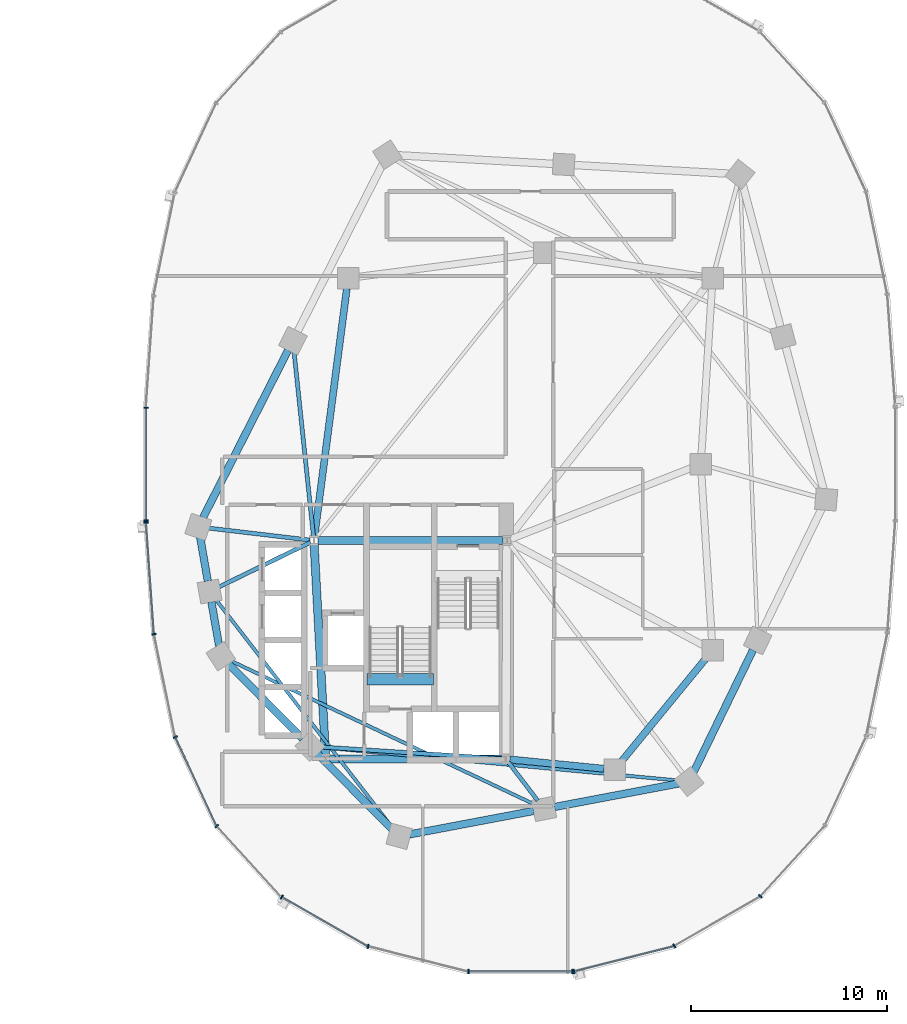
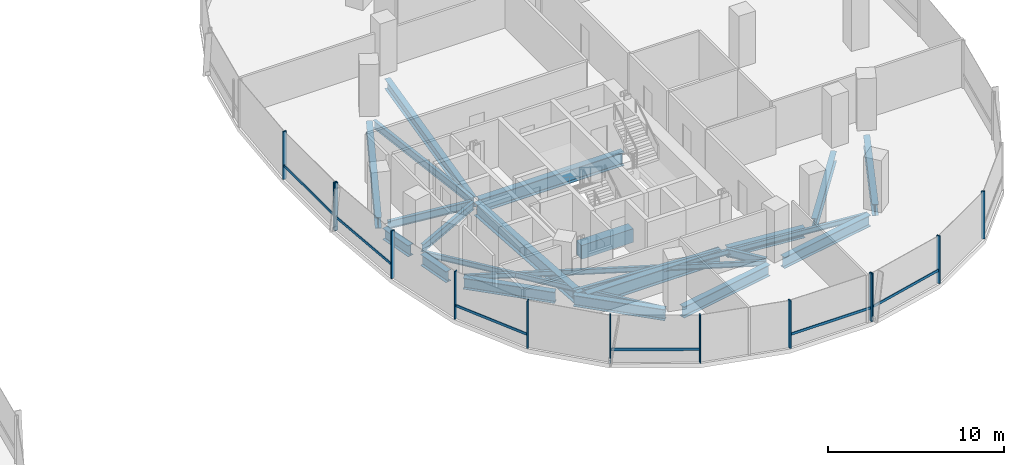
# One storey, part 5 of 21: 23 beams, 19 members, 3 elements without a shape of their own.
"""IFC4 building model written with IfcOpenShell, lengths in metres."""

from ifc_helpers import new_model, si_unit, direction, frame, origin, origin_2d, place, context, subcontext, project, spatial, rectangle, i_section, extrude, material, material_profile, profile_set, type_object, element, aggregate, save


model = new_model("IFC4")

# Units and contexts
model_context = context("Model", 3, precision=1e-05, world=origin(), true_north=direction((0.0, 1.0)))
body_context = subcontext(model_context, "Body", "Model", "MODEL_VIEW")
ifc_project = project(units=[si_unit("LENGTHUNIT", "METRE"), si_unit("AREAUNIT", "SQUARE_METRE"), si_unit("VOLUMEUNIT", "CUBIC_METRE"), si_unit("PLANEANGLEUNIT", "RADIAN"), si_unit("MASSUNIT", "GRAM", prefix="KILO"), si_unit("THERMODYNAMICTEMPERATUREUNIT", "KELVIN"), si_unit("POWERUNIT", "WATT")], contexts=[model_context])

# Site, building, storey
site_placement = place(None, origin())
site = spatial("IfcSite", under=ifc_project, at=site_placement, CompositionType="ELEMENT")
building_placement = place(site_placement, origin())
building = spatial("IfcBuilding", under=site, at=building_placement, Name="Cundina Bronze Exchange", CompositionType="ELEMENT")
storey_placement = place(building_placement, frame((0.0, 0.0, 107.0)))
storey = spatial("IfcBuildingStorey", under=building, at=storey_placement, Name="L27", CompositionType="ELEMENT", Elevation=107.0)

# Beams
ifc_material_1 = material(Name="Concrete C60/75", Category="concrete")
ifc_material_profile_1 = material_profile(ifc_material_1, rectangle(XDim=0.60009765625, YDim=0.949951171875, at=origin_2d()), Name="RC600X950", Category="concrete")
ifc_profile_set_1 = profile_set([ifc_material_profile_1], Name="Concrete C60/75")
beam_type_1 = type_object("IfcBeamType", Name="BM-COUP-RC950", PredefinedType="LINTEL", material=ifc_profile_set_1)
beam_1_placement = place(storey_placement, frame((24.159912109375, -10.97998046875, -0.47509765625), z_axis=(1.0, 0.0, 0.0), x_axis=(0.0, 1.0, 0.0)))
element("IfcBeam", 1, at=beam_1_placement, inside=storey, type_object=beam_type_1, Name="L27 Stair E2 Landing Header Beam", PredefinedType="LINTEL", context=body_context, shape_type="SweptSolid", body=[
    extrude(rectangle(XDim=0.60009765625, YDim=0.949951171875, at=origin_2d()), origin(), (0.0, 0.0, 1.0), 3.400146484375),
])
ifc_material_2 = material(Name="Steel ASTM A992 Grade 50", Category="steel")
ifc_material_profile_2 = material_profile(ifc_material_2, i_section(OverallWidth=0.2099609375, OverallDepth=0.532958984375, WebThickness=0.01025390625, FlangeThickness=0.015625, FilletRadius=0.013916015625, at=origin_2d()), Name="W21X62", Category="steel")
ifc_profile_set_2 = profile_set([ifc_material_profile_2], Name="Steel ASTM A992 Grade 50")
beam_type_2 = type_object("IfcBeamType", Name="BM-FLR-W21B", PredefinedType="BEAM", material=ifc_profile_set_2)
beam_2_placement = place(storey_placement, frame((21.247314453125, -3.8759765625, -0.56640625), z_axis=(-0.993035701683, 0.117813815752, 0.0), x_axis=(-0.117813815752, -0.993035701683, 0.0)))
element("IfcBeam", 2, at=beam_2_placement, inside=storey, type_object=beam_type_2, Name="L27 Leg E Chordal Floor Beam 00", PredefinedType="BEAM", context=body_context, shape_type="SweptSolid", body=[
    extrude(i_section(OverallWidth=0.2099609375, OverallDepth=0.532958984375, WebThickness=0.01025390625, FlangeThickness=0.015625, FilletRadius=0.013916015625, at=origin_2d()), origin(), (0.0, 0.0, 1.0), 5.19921875),
])
beam_3_placement = place(storey_placement, frame((21.2666015625, -3.989501953125, -0.56640625), z_axis=(-0.898607246385, -0.438753936443, 0.0), x_axis=(0.438753936443, -0.898607246385, 0.0)))
element("IfcBeam", 3, at=beam_3_placement, inside=storey, type_object=beam_type_2, Name="L27 Leg E Chordal Floor Beam 01", PredefinedType="BEAM", context=body_context, shape_type="SweptSolid", body=[
    extrude(i_section(OverallWidth=0.2099609375, OverallDepth=0.532958984375, WebThickness=0.01025390625, FlangeThickness=0.015625, FilletRadius=0.013916015625, at=origin_2d()), origin(), (0.0, 0.0, 1.0), 5.183837890625),
])
beam_4_placement = place(storey_placement, frame((31.04638671875, -15.036865234375, -0.56640625), z_axis=(-0.997892901568, 0.064882640211, 0.0), x_axis=(-0.064882640211, -0.997892901568, 0.0)))
element("IfcBeam", 4, at=beam_4_placement, inside=storey, type_object=beam_type_2, Name="L27 Leg E Chordal Floor Beam 03", PredefinedType="BEAM", context=body_context, shape_type="SweptSolid", body=[
    extrude(i_section(OverallWidth=0.2099609375, OverallDepth=0.532958984375, WebThickness=0.01025390625, FlangeThickness=0.015625, FilletRadius=0.013916015625, at=origin_2d()), origin(), (0.0, 0.0, 1.0), 9.279052734375),
])
beam_5_placement = place(storey_placement, frame((31.373779296875, -15.2119140625, -0.56640625), z_axis=(0.607490490457, -0.79432695032, 0.0), x_axis=(0.79432695032, 0.607490490457, 0.0)))
element("IfcBeam", 5, at=beam_5_placement, inside=storey, type_object=beam_type_2, Name="L27 Leg E Chordal Floor Beam 05", PredefinedType="BEAM", context=body_context, shape_type="SweptSolid", body=[
    extrude(i_section(OverallWidth=0.2099609375, OverallDepth=0.532958984375, WebThickness=0.01025390625, FlangeThickness=0.015625, FilletRadius=0.013916015625, at=origin_2d()), origin(), (0.0, 0.0, 1.0), 2.46826171875),
])
beam_6_placement = place(storey_placement, frame((21.4287109375, -3.697021484375, -0.56640625), z_axis=(-0.104822364957, 0.994490961148, 0.0), x_axis=(-0.994490961148, -0.104822364957, 0.0)))
element("IfcBeam", 6, at=beam_6_placement, inside=storey, type_object=beam_type_2, Name="L27 Leg E Chordal Floor Beam 13", PredefinedType="BEAM", context=body_context, shape_type="SweptSolid", body=[
    extrude(i_section(OverallWidth=0.2099609375, OverallDepth=0.532958984375, WebThickness=0.01025390625, FlangeThickness=0.015625, FilletRadius=0.013916015625, at=origin_2d()), origin(), (0.0, 0.0, 1.0), 9.514404296875),
])
ifc_material_profile_3 = material_profile(ifc_material_2, i_section(OverallWidth=0.172119140625, OverallDepth=0.35791015625, WebThickness=0.0078125, FlangeThickness=0.01318359375, FilletRadius=0.010009765625, at=origin_2d()), Name="W14X38", Category="steel")
ifc_profile_set_3 = profile_set([ifc_material_profile_3], Name="Steel ASTM A992 Grade 50")
beam_type_3 = type_object("IfcBeamType", Name="BM-JST-W14", PredefinedType="JOIST", material=ifc_profile_set_3)
beam_7_placement = place(storey_placement, frame((16.454345703125, -6.92529296875, -0.47900390625), z_axis=(0.612065218806, -0.790807288742, 0.0), x_axis=(0.790807288742, 0.612065218806, 0.0)))
element("IfcBeam", 7, at=beam_7_placement, inside=storey, type_object=beam_type_3, Name="L27 Leg E Lobe Floor Joist 01-04", PredefinedType="JOIST", context=body_context, shape_type="SweptSolid", body=[
    extrude(i_section(OverallWidth=0.172119140625, OverallDepth=0.35791015625, WebThickness=0.0078125, FlangeThickness=0.01318359375, FilletRadius=0.010009765625, at=origin_2d()), origin(), (0.0, 0.0, 1.0), 14.73095703125),
])
beam_8_placement = place(storey_placement, frame((17.186279296875, -10.02978515625, -0.47900390625), z_axis=(0.904069270633, -0.427385954259, 0.0), x_axis=(0.427385954259, 0.904069270633, 0.0)))
element("IfcBeam", 8, at=beam_8_placement, inside=storey, type_object=beam_type_3, Name="L27 Leg E Lobe Floor Joist 02-05", PredefinedType="JOIST", context=body_context, shape_type="SweptSolid", body=[
    extrude(i_section(OverallWidth=0.172119140625, OverallDepth=0.35791015625, WebThickness=0.0078125, FlangeThickness=0.01318359375, FilletRadius=0.010009765625, at=origin_2d()), origin(), (0.0, 0.0, 1.0), 17.175048828125),
])
beam_9_placement = place(storey_placement, frame((21.78564453125, -14.44970703125, -0.47900390625), z_axis=(0.995700674022, -0.092629194921, 0.0), x_axis=(0.092629194921, 0.995700674022, 0.0)))
element("IfcBeam", 9, at=beam_9_placement, inside=storey, type_object=beam_type_3, Name="L27 Leg E Lobe Floor Joist 03-06", PredefinedType="JOIST", context=body_context, shape_type="SweptSolid", body=[
    extrude(i_section(OverallWidth=0.172119140625, OverallDepth=0.35791015625, WebThickness=0.0078125, FlangeThickness=0.01318359375, FilletRadius=0.010009765625, at=origin_2d()), origin(), (0.0, 0.0, 1.0), 18.357421875),
])
ifc_material_profile_4 = material_profile(ifc_material_2, i_section(OverallWidth=0.35498046875, OverallDepth=0.695068359375, WebThickness=0.015380859375, FlangeThickness=0.02490234375, FilletRadius=0.01806640625, at=origin_2d()), Name="W27X146", Category="steel")
ifc_profile_set_4 = profile_set([ifc_material_profile_4], Name="Steel ASTM A992 Grade 50")
beam_type_4 = type_object("IfcBeamType", Name="BM-RING-W27", PredefinedType="USERDEFINED", material=ifc_profile_set_4)
beam_10_placement = place(storey_placement, frame((31.452880859375, -15.070068359375, -0.6474609375), z_axis=(0.995126271817, -0.098608839051, 0.0), x_axis=(0.098608839051, 0.995126271817, 0.0)))
element("IfcBeam", 10, at=beam_10_placement, inside=storey, type_object=beam_type_4, Name="L27 E Inner Structural Ring Girder 01", ObjectType="GIRDER", PredefinedType="USERDEFINED", context=body_context, shape_type="SweptSolid", body=[
    extrude(i_section(OverallWidth=0.35498046875, OverallDepth=0.695068359375, WebThickness=0.015380859375, FlangeThickness=0.02490234375, FilletRadius=0.01806640625, at=origin_2d()), origin(), (0.0, 0.0, 1.0), 4.83544921875),
])
beam_11_placement = place(storey_placement, frame((37.14111328125, -15.183837890625, -0.6474609375), z_axis=(0.633926549035, 0.773393257295, 0.0), x_axis=(-0.773393257295, 0.633926549035, 0.0)))
element("IfcBeam", 11, at=beam_11_placement, inside=storey, type_object=beam_type_4, Name="L27 E Inner Structural Ring Girder 02", ObjectType="GIRDER", PredefinedType="USERDEFINED", context=body_context, shape_type="SweptSolid", body=[
    extrude(i_section(OverallWidth=0.35498046875, OverallDepth=0.695068359375, WebThickness=0.015380859375, FlangeThickness=0.02490234375, FilletRadius=0.01806640625, at=origin_2d()), origin(), (0.0, 0.0, 1.0), 6.811279296875),
])
beam_12_placement = place(storey_placement, frame((23.13037109375, 8.966552734375, -0.6474609375), z_axis=(-0.129507526533, -0.99157843894, 0.0), x_axis=(0.99157843894, -0.129507526533, 0.0)))
element("IfcBeam", 12, at=beam_12_placement, inside=storey, type_object=beam_type_4, Name="L27 E Inner Structural Ring Girder 07", ObjectType="GIRDER", PredefinedType="USERDEFINED", context=body_context, shape_type="SweptSolid", body=[
    extrude(i_section(OverallWidth=0.35498046875, OverallDepth=0.695068359375, WebThickness=0.015380859375, FlangeThickness=0.02490234375, FilletRadius=0.01806640625, at=origin_2d()), origin(), (0.0, 0.0, 1.0), 12.77197265625),
])
ifc_material_profile_5 = material_profile(ifc_material_2, i_section(OverallWidth=0.381103515625, OverallDepth=0.77294921875, WebThickness=0.0166015625, FlangeThickness=0.027099609375, FilletRadius=0.01904296875, at=origin_2d()), Name="W30X173", Category="steel")
ifc_profile_set_5 = profile_set([ifc_material_profile_5], Name="Steel ASTM A992 Grade 50")
beam_type_5 = type_object("IfcBeamType", Name="BM-RING-W30", PredefinedType="USERDEFINED", material=ifc_profile_set_5)
for number, where, z_axis, x_axis, name in (
    (13, (15.642333984375, -3.72998046875, -0.6865234375), (0.171690078326, -0.985151012284, 0.0), (0.985151012284, 0.171690078326, 0.0), "L27 E Perimeter Ring Girder 00"),
    (14, (16.21728515625, -7.030029296875, -0.6865234375), (0.171690078326, -0.985151012284, 0.0), (0.985151012284, 0.171690078326, 0.0), "L27 E Perimeter Ring Girder 01"),
):
    element("IfcBeam", number, at=place(storey_placement, frame(where, z_axis=z_axis, x_axis=x_axis)), inside=storey, type_object=beam_type_5, Name=name, ObjectType="GIRDER", PredefinedType="USERDEFINED", context=body_context, shape_type="SweptSolid", body=[
        extrude(i_section(OverallWidth=0.381103515625, OverallDepth=0.77294921875, WebThickness=0.0166015625, FlangeThickness=0.027099609375, FilletRadius=0.01904296875, at=origin_2d()), origin(), (0.0, 0.0, 1.0), 2.273681640625),
    ])
for number, where, z_axis, x_axis, name in (
    (15, (17.078369140625, -10.1826171875, -0.6865234375), (0.703226342126, -0.7109660412, 0.0), (0.7109660412, 0.703226342126, 0.0), "L27 E Perimeter Ring Girder 02"),
    (16, (21.62841796875, -14.782470703125, -0.6865234375), (0.703226342126, -0.7109660412, 0.0), (0.7109660412, 0.703226342126, 0.0), "L27 E Perimeter Ring Girder 03"),
):
    element("IfcBeam", number, at=place(storey_placement, frame(where, z_axis=z_axis, x_axis=x_axis)), inside=storey, type_object=beam_type_5, Name=name, ObjectType="GIRDER", PredefinedType="USERDEFINED", context=body_context, shape_type="SweptSolid", body=[
        extrude(i_section(OverallWidth=0.381103515625, OverallDepth=0.77294921875, WebThickness=0.0166015625, FlangeThickness=0.027099609375, FilletRadius=0.01904296875, at=origin_2d()), origin(), (0.0, 0.0, 1.0), 5.39404296875),
    ])
for number, where, z_axis, x_axis, name in (
    (17, (26.32861328125, -18.89990234375, -0.6865234375), (0.98257117919, 0.185886733861, 0.0), (-0.185886733861, 0.98257117919, 0.0), "L27 E Perimeter Ring Girder 04"),
    (18, (33.728515625, -17.5, -0.6865234375), (0.98257117919, 0.185886733861, 0.0), (-0.185886733861, 0.98257117919, 0.0), "L27 E Perimeter Ring Girder 05"),
):
    element("IfcBeam", number, at=place(storey_placement, frame(where, z_axis=z_axis, x_axis=x_axis)), inside=storey, type_object=beam_type_5, Name=name, ObjectType="GIRDER", PredefinedType="USERDEFINED", context=body_context, shape_type="SweptSolid", body=[
        extrude(i_section(OverallWidth=0.381103515625, OverallDepth=0.77294921875, WebThickness=0.0166015625, FlangeThickness=0.027099609375, FilletRadius=0.01904296875, at=origin_2d()), origin(), (0.0, 0.0, 1.0), 6.455322265625),
    ])
beam_13_placement = place(storey_placement, frame((40.835205078125, -15.716064453125, -0.6865234375), z_axis=(0.437193894283, 0.899367276924, 0.0), x_axis=(-0.899367276924, 0.437193894283, 0.0)))
element("IfcBeam", 19, at=beam_13_placement, inside=storey, type_object=beam_type_5, Name="L27 E Perimeter Ring Girder 06", ObjectType="GIRDER", PredefinedType="USERDEFINED", context=body_context, shape_type="SweptSolid", body=[
    extrude(i_section(OverallWidth=0.381103515625, OverallDepth=0.77294921875, WebThickness=0.0166015625, FlangeThickness=0.027099609375, FilletRadius=0.01904296875, at=origin_2d()), origin(), (0.0, 0.0, 1.0), 6.929443359375),
])
beam_14_placement = place(storey_placement, frame((20.13134765625, 5.8203125, -0.6865234375), z_axis=(-0.452832332744, -0.891595692241, 0.0), x_axis=(0.891595692241, -0.452832332744, 0.0)))
element("IfcBeam", 20, at=beam_14_placement, inside=storey, type_object=beam_type_5, Name="L27 E Perimeter Ring Girder 13", ObjectType="GIRDER", PredefinedType="USERDEFINED", context=body_context, shape_type="SweptSolid", body=[
    extrude(i_section(OverallWidth=0.381103515625, OverallDepth=0.77294921875, WebThickness=0.0166015625, FlangeThickness=0.027099609375, FilletRadius=0.01904296875, at=origin_2d()), origin(), (0.0, 0.0, 1.0), 9.578857421875),
])
ifc_material_profile_6 = material_profile(ifc_material_2, i_section(OverallWidth=0.41796875, OverallDepth=0.927001953125, WebThickness=0.019287109375, FlangeThickness=0.031982421875, FilletRadius=0.02392578125, at=origin_2d()), Name="W36X231", Category="steel")
ifc_profile_set_6 = profile_set([ifc_material_profile_6], Name="Steel ASTM A992 Grade 50")
beam_type_6 = type_object("IfcBeamType", Name="BM-WRN-W36B", PredefinedType="USERDEFINED", material=ifc_profile_set_6)
beam_15_placement = place(storey_placement, frame((31.095947265625, -3.89990234375, -0.763427734375), z_axis=(-1.0, 0.0, 0.0), x_axis=(0.0, -1.0, 0.0)))
element("IfcBeam", 21, at=beam_15_placement, inside=storey, type_object=beam_type_6, Name="L27 E Core Perimeter Tie Girder 1", ObjectType="GIRDER", PredefinedType="USERDEFINED", context=body_context, shape_type="SweptSolid", body=[
    extrude(i_section(OverallWidth=0.41796875, OverallDepth=0.927001953125, WebThickness=0.019287109375, FlangeThickness=0.031982421875, FilletRadius=0.02392578125, at=origin_2d()), origin(), (0.0, 0.0, 1.0), 9.44189453125),
])
beam_16_placement = place(storey_placement, frame((21.4609375, -4.103759765625, -0.763427734375), z_axis=(0.053739193498, -0.998555005537, 0.0), x_axis=(0.998555005537, 0.053739193498, 0.0)))
element("IfcBeam", 22, at=beam_16_placement, inside=storey, type_object=beam_type_6, Name="L27 E Core Perimeter Tie Girder 2", ObjectType="GIRDER", PredefinedType="USERDEFINED", context=body_context, shape_type="SweptSolid", body=[
    extrude(i_section(OverallWidth=0.41796875, OverallDepth=0.927001953125, WebThickness=0.019287109375, FlangeThickness=0.031982421875, FilletRadius=0.02392578125, at=origin_2d()), origin(), (0.0, 0.0, 1.0), 10.758056640625),
])
beam_17_placement = place(storey_placement, frame((22.25390625, -15.050048828125, -0.763427734375), z_axis=(1.0, 0.0, 0.0), x_axis=(0.0, 1.0, 0.0)))
element("IfcBeam", 23, at=beam_17_placement, inside=storey, type_object=beam_type_6, Name="L27 E Core Perimeter Tie Girder 3", ObjectType="GIRDER", PredefinedType="USERDEFINED", context=body_context, shape_type="SweptSolid", body=[
    extrude(i_section(OverallWidth=0.41796875, OverallDepth=0.927001953125, WebThickness=0.019287109375, FlangeThickness=0.031982421875, FilletRadius=0.02392578125, at=origin_2d()), origin(), (0.0, 0.0, 1.0), 8.7919921875),
])

# Curtain wall, members
ifc_material_3 = material(Name="Anodised Bronze Aluminium 6063-T6", Category="aluminium")
curtain_wall_type = type_object("IfcCurtainWallType", Name="CWS-TRD-MID", PredefinedType="NOTDEFINED", material=ifc_material_3)
curtain_wall_1_placement = place(storey_placement, origin())
curtain_wall_1 = element("IfcCurtainWall", 24, at=curtain_wall_1_placement, inside=storey, type_object=curtain_wall_type, Name="L27 CW-03 Curtain Wall Run CWR-L27-E2", PredefinedType="NOTDEFINED")
ifc_material_profile_7 = material_profile(ifc_material_3, rectangle(XDim=0.074951171875, YDim=0.219970703125, at=origin_2d()), Name="AL75X220", Category="aluminium")
ifc_profile_set_7 = profile_set([ifc_material_profile_7], Name="Anodised Bronze Aluminium 6063-T6")
member_type_1 = type_object("IfcMemberType", Name="CWM-MUL-220", PredefinedType="MULLION", material=ifc_profile_set_7)
member_1_placement = place(storey_placement, frame((12.8720703125, 2.880615234375, 0.0), z_axis=(0.0, 0.0, 1.0), x_axis=(0.0, -1.0, 0.0)))
member_1 = element("IfcMember", 25, at=member_1_placement, type_object=member_type_1, Name="CW-03 Mullion 7", PredefinedType="MULLION", context=body_context, shape_type="SweptSolid", body=[
    extrude(rectangle(XDim=0.074951171875, YDim=0.219970703125, at=origin_2d()), origin(), (0.0, 0.0, 1.0), 3.300048828125),
])
member_2_placement = place(storey_placement, frame((12.8720703125, -2.880615234375, 0.0), z_axis=(0.0, 0.0, 1.0), x_axis=(0.0, -1.0, 0.0)))
member_2 = element("IfcMember", 26, at=member_2_placement, type_object=member_type_1, Name="CW-03 End Mullion", PredefinedType="MULLION", context=body_context, shape_type="SweptSolid", body=[
    extrude(rectangle(XDim=0.074951171875, YDim=0.219970703125, at=origin_2d()), origin(), (0.0, 0.0, 1.0), 3.300048828125),
])

curtain_wall_2_placement = place(storey_placement, origin())
curtain_wall_2 = element("IfcCurtainWall", 27, at=curtain_wall_2_placement, inside=storey, type_object=curtain_wall_type, Name="L27 CW-03 Curtain Wall Run CWR-L27-E3", PredefinedType="NOTDEFINED")
member_3_placement = place(storey_placement, frame((12.87548828125, -2.976318359375, 0.0), z_axis=(0.0, 0.0, 1.0), x_axis=(0.070278787473, -0.997527389113, 0.0)))
member_3 = element("IfcMember", 28, at=member_3_placement, type_object=member_type_1, Name="CW-03 Mullion 1", PredefinedType="MULLION", context=body_context, shape_type="SweptSolid", body=[
    extrude(rectangle(XDim=0.074951171875, YDim=0.219970703125, at=origin_2d()), origin(), (0.0, 0.0, 1.0), 3.300048828125),
])
member_4_placement = place(storey_placement, frame((13.282958984375, -8.67822265625, 0.0), z_axis=(0.0, 0.0, 1.0), x_axis=(0.201419845156, -0.979505000486, 0.0)))
member_4 = element("IfcMember", 29, at=member_4_placement, type_object=member_type_1, Name="CW-03 Mullion 2", PredefinedType="MULLION", context=body_context, shape_type="SweptSolid", body=[
    extrude(rectangle(XDim=0.074951171875, YDim=0.219970703125, at=origin_2d()), origin(), (0.0, 0.0, 1.0), 3.300048828125),
])
member_5_placement = place(storey_placement, frame((14.3720703125, -13.931884765625, 0.0), z_axis=(0.0, 0.0, 1.0), x_axis=(0.42087749791, -0.907117485088, 0.0)))
member_5 = element("IfcMember", 30, at=member_5_placement, type_object=member_type_1, Name="CW-03 Mullion 3", PredefinedType="MULLION", context=body_context, shape_type="SweptSolid", body=[
    extrude(rectangle(XDim=0.074951171875, YDim=0.219970703125, at=origin_2d()), origin(), (0.0, 0.0, 1.0), 3.300048828125),
])
member_6_placement = place(storey_placement, frame((16.491455078125, -18.47705078125, 0.0), z_axis=(0.0, 0.0, 1.0), x_axis=(0.674302387584, -0.738455340626, 0.0)))
member_6 = element("IfcMember", 31, at=member_6_placement, type_object=member_type_1, Name="CW-03 Mullion 4", PredefinedType="MULLION", context=body_context, shape_type="SweptSolid", body=[
    extrude(rectangle(XDim=0.074951171875, YDim=0.219970703125, at=origin_2d()), origin(), (0.0, 0.0, 1.0), 3.300048828125),
])
member_7_placement = place(storey_placement, frame((19.810302734375, -22.097412109375, 0.0), z_axis=(0.0, 0.0, 1.0), x_axis=(0.867070701164, -0.498185105339, 0.0)))
member_7 = element("IfcMember", 32, at=member_7_placement, type_object=member_type_1, Name="CW-03 Mullion 5", PredefinedType="MULLION", context=body_context, shape_type="SweptSolid", body=[
    extrude(rectangle(XDim=0.074951171875, YDim=0.219970703125, at=origin_2d()), origin(), (0.0, 0.0, 1.0), 3.300048828125),
])
member_8_placement = place(storey_placement, frame((24.21484375, -24.61669921875, 0.0), z_axis=(0.0, 0.0, 1.0), x_axis=(0.969488149345, -0.245138182011, 0.0)))
member_8 = element("IfcMember", 33, at=member_8_placement, type_object=member_type_1, Name="CW-03 Mullion 6", PredefinedType="MULLION", context=body_context, shape_type="SweptSolid", body=[
    extrude(rectangle(XDim=0.074951171875, YDim=0.219970703125, at=origin_2d()), origin(), (0.0, 0.0, 1.0), 3.300048828125),
])
member_9_placement = place(storey_placement, frame((29.345458984375, -25.905029296875, 0.0), z_axis=(0.0, 0.0, 1.0), x_axis=(1.0, 0.0, 0.0)))
member_9 = element("IfcMember", 34, at=member_9_placement, type_object=member_type_1, Name="CW-03 Mullion 7", PredefinedType="MULLION", context=body_context, shape_type="SweptSolid", body=[
    extrude(rectangle(XDim=0.074951171875, YDim=0.219970703125, at=origin_2d()), origin(), (0.0, 0.0, 1.0), 3.300048828125),
])
member_10_placement = place(storey_placement, frame((34.654541015625, -25.905029296875, 0.0), z_axis=(0.0, 0.0, 1.0), x_axis=(1.0, 0.0, 0.0)))
member_10 = element("IfcMember", 35, at=member_10_placement, type_object=member_type_1, Name="CW-03 End Mullion", PredefinedType="MULLION", context=body_context, shape_type="SweptSolid", body=[
    extrude(rectangle(XDim=0.074951171875, YDim=0.219970703125, at=origin_2d()), origin(), (0.0, 0.0, 1.0), 3.300048828125),
])

curtain_wall_3_placement = place(storey_placement, origin())
curtain_wall_3 = element("IfcCurtainWall", 36, at=curtain_wall_3_placement, inside=storey, type_object=curtain_wall_type, Name="L27 CW-03 Curtain Wall Run CWR-L27-E4", PredefinedType="NOTDEFINED")
member_11_placement = place(storey_placement, frame((34.72607421875, -25.89599609375, 0.0), z_axis=(0.0, 0.0, 1.0), x_axis=(0.969488149345, 0.245138182011, 0.0)))
member_11 = element("IfcMember", 37, at=member_11_placement, type_object=member_type_1, Name="CW-03 Mullion 1", PredefinedType="MULLION", context=body_context, shape_type="SweptSolid", body=[
    extrude(rectangle(XDim=0.074951171875, YDim=0.219970703125, at=origin_2d()), origin(), (0.0, 0.0, 1.0), 3.300048828125),
])
member_12_placement = place(storey_placement, frame((39.848876953125, -24.591064453125, 0.0), z_axis=(0.0, 0.0, 1.0), x_axis=(0.867070701164, 0.498185105339, 0.0)))
member_12 = element("IfcMember", 38, at=member_12_placement, type_object=member_type_1, Name="CW-03 Mullion 2", PredefinedType="MULLION", context=body_context, shape_type="SweptSolid", body=[
    extrude(rectangle(XDim=0.074951171875, YDim=0.219970703125, at=origin_2d()), origin(), (0.0, 0.0, 1.0), 3.300048828125),
])
member_13_placement = place(storey_placement, frame((44.239501953125, -22.0576171875, 0.0), z_axis=(0.0, 0.0, 1.0), x_axis=(0.674302387584, 0.738455340626, 0.0)))
member_13 = element("IfcMember", 39, at=member_13_placement, type_object=member_type_1, Name="CW-03 Mullion 3", PredefinedType="MULLION", context=body_context, shape_type="SweptSolid", body=[
    extrude(rectangle(XDim=0.074951171875, YDim=0.219970703125, at=origin_2d()), origin(), (0.0, 0.0, 1.0), 3.300048828125),
])

# Member
ifc_material_profile_8 = material_profile(ifc_material_3, rectangle(XDim=0.070068359375, YDim=0.179931640625, at=origin_2d()), Name="AL70X180", Category="aluminium")
ifc_profile_set_8 = profile_set([ifc_material_profile_8], Name="Anodised Bronze Aluminium 6063-T6")
member_type_2 = type_object("IfcMemberType", Name="CWM-TRN-180", PredefinedType="USERDEFINED", material=ifc_profile_set_8)
member_14_placement = place(storey_placement, frame((12.8720703125, 2.839111328125, 0.919921875), z_axis=(0.0, -1.0, 0.0), x_axis=(1.0, 0.0, 0.0)))
member_14 = element("IfcMember", 40, at=member_14_placement, type_object=member_type_2, Name="CW-03 Spandrel Transom 7", ObjectType="TRANSOM", PredefinedType="USERDEFINED", context=body_context, shape_type="SweptSolid", body=[
    extrude(rectangle(XDim=0.070068359375, YDim=0.179931640625, at=origin_2d()), origin(), (0.0, 0.0, 1.0), 5.67822265625),
])

aggregate(curtain_wall_1, [member_1, member_2, member_14])

member_15_placement = place(storey_placement, frame((12.87841796875, -3.017333984375, 0.919921875), z_axis=(0.070260714471, -0.997528662246, 0.0), x_axis=(0.997528662246, 0.070260714471, 0.0)))
member_15 = element("IfcMember", 41, at=member_15_placement, type_object=member_type_2, Name="CW-03 Spandrel Transom 1", ObjectType="TRANSOM", PredefinedType="USERDEFINED", context=body_context, shape_type="SweptSolid", body=[
    extrude(rectangle(XDim=0.070068359375, YDim=0.179931640625, at=origin_2d()), origin(), (0.0, 0.0, 1.0), 5.629150390625),
])

member_16_placement = place(storey_placement, frame((14.389404296875, -13.96923828125, 0.919921875), z_axis=(0.420811422796, -0.907148139195, 0.0), x_axis=(0.907148139195, 0.420811422796, 0.0)))
member_16 = element("IfcMember", 42, at=member_16_placement, type_object=member_type_2, Name="CW-03 Spandrel Transom 3", ObjectType="TRANSOM", PredefinedType="USERDEFINED", context=body_context, shape_type="SweptSolid", body=[
    extrude(rectangle(XDim=0.070068359375, YDim=0.179931640625, at=origin_2d()), origin(), (0.0, 0.0, 1.0), 4.95166015625),
])

member_17_placement = place(storey_placement, frame((19.845947265625, -22.117919921875, 0.919921875), z_axis=(0.867097475651, -0.498138502546, 0.0), x_axis=(0.498138502546, 0.867097475651, 0.0)))
member_17 = element("IfcMember", 43, at=member_17_placement, type_object=member_type_2, Name="CW-03 Spandrel Transom 5", ObjectType="TRANSOM", PredefinedType="USERDEFINED", context=body_context, shape_type="SweptSolid", body=[
    extrude(rectangle(XDim=0.070068359375, YDim=0.179931640625, at=origin_2d()), origin(), (0.0, 0.0, 1.0), 5.00634765625),
])

member_18_placement = place(storey_placement, frame((29.38671875, -25.905029296875, 0.919921875), z_axis=(1.0, 0.0, 0.0), x_axis=(0.0, 1.0, 0.0)))
member_18 = element("IfcMember", 44, at=member_18_placement, type_object=member_type_2, Name="CW-03 Spandrel Transom 7", ObjectType="TRANSOM", PredefinedType="USERDEFINED", context=body_context, shape_type="SweptSolid", body=[
    extrude(rectangle(XDim=0.070068359375, YDim=0.179931640625, at=origin_2d()), origin(), (0.0, 0.0, 1.0), 5.2265625),
])

aggregate(curtain_wall_2, [member_3, member_15, member_4, member_5, member_16, member_6, member_7, member_17, member_8, member_9, member_10, member_18])

member_19_placement = place(storey_placement, frame((34.76611328125, -25.885986328125, 0.919921875), z_axis=(0.969483968866, 0.245154714644, 0.0), x_axis=(-0.245154714644, 0.969483968866, 0.0)))
member_19 = element("IfcMember", 45, at=member_19_placement, type_object=member_type_2, Name="CW-03 Spandrel Transom 1", ObjectType="TRANSOM", PredefinedType="USERDEFINED", context=body_context, shape_type="SweptSolid", body=[
    extrude(rectangle(XDim=0.070068359375, YDim=0.179931640625, at=origin_2d()), origin(), (0.0, 0.0, 1.0), 5.21826171875),
])

aggregate(curtain_wall_3, [member_11, member_19, member_12, member_13])

save(model, "model.ifc")
